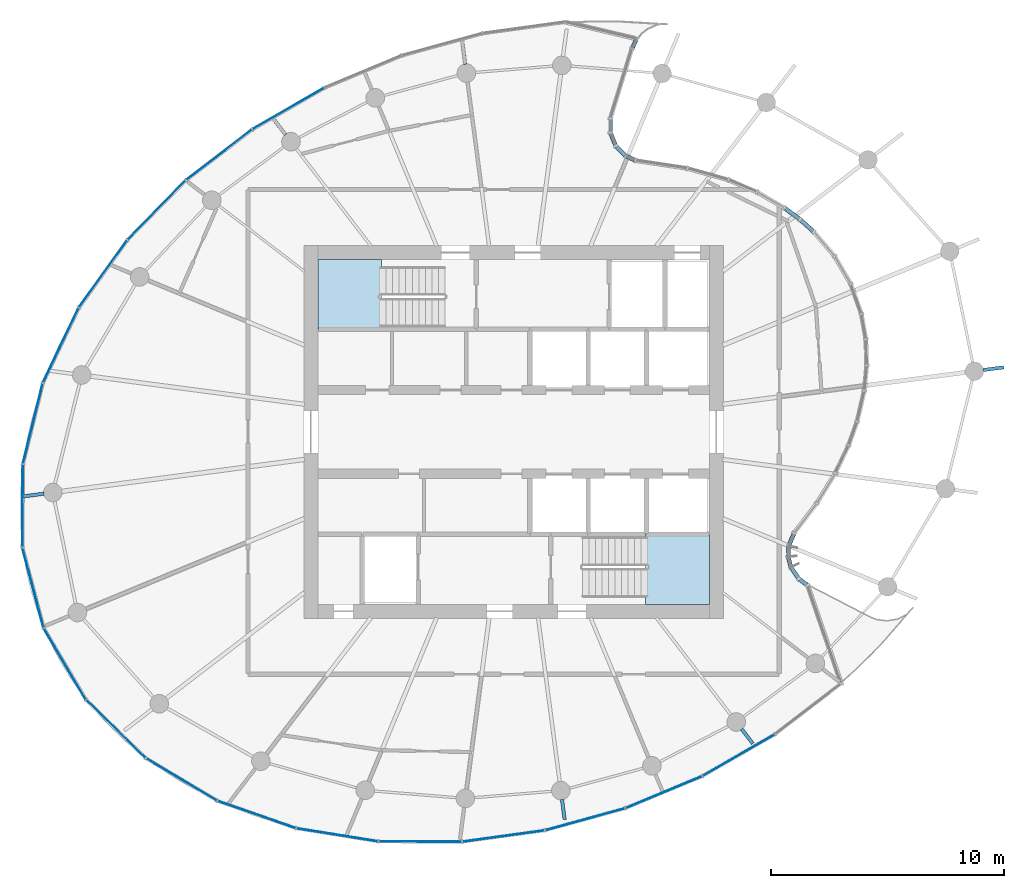
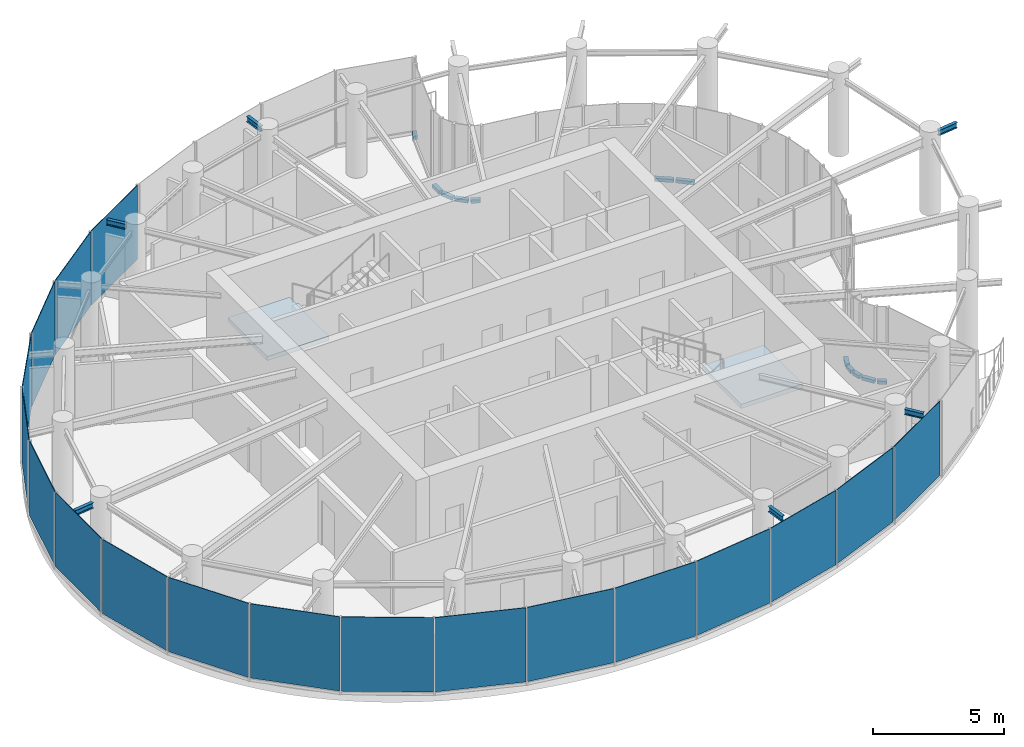
# One storey, part 7 of 14: 18 plates, 12 members, 6 beams, 2 slabs, 10 elements without a shape of their own.
"""IFC4 building model written with IfcOpenShell, lengths in metres."""

from ifc_helpers import new_model, si_unit, direction, frame, origin, origin_2d, place, context, subcontext, project, spatial, line, indexed_curve, rectangle, i_section, outline, extrude, source, transform, mapped, material, layer, layer_set, material_profile, profile_set, type_object, element, aggregate, save


model = new_model("IFC4")

# Units and contexts
model_context = context("Model", 3, precision=1e-05, world=origin(), true_north=direction((0.0, 1.0)))
body_context = subcontext(model_context, "Body", "Model", "MODEL_VIEW")
ifc_project = project(units=[si_unit("LENGTHUNIT", "METRE"), si_unit("AREAUNIT", "SQUARE_METRE"), si_unit("VOLUMEUNIT", "CUBIC_METRE"), si_unit("PLANEANGLEUNIT", "RADIAN"), si_unit("MASSUNIT", "GRAM", prefix="KILO")], contexts=[model_context])

# Site, building, storey
site_placement = place(None, origin())
site = spatial("IfcSite", under=ifc_project, at=site_placement, CompositionType="ELEMENT")
building_placement = place(site_placement, origin())
building = spatial("IfcBuilding", under=site, at=building_placement, Name="Spindrift Exchange Tower", CompositionType="ELEMENT")
storey_placement = place(building_placement, frame((0.0, 0.0, 238.39990234375)))
storey = spatial("IfcBuildingStorey", under=building, at=storey_placement, Name="L58", CompositionType="ELEMENT", Elevation=238.39990234375)

# Beams
ifc_material_1 = material(Name="Steel Grade 300", Category="steel")
ifc_material_profile_1 = material_profile(ifc_material_1, i_section(OverallWidth=0.14599609375, OverallDepth=0.251953125, WebThickness=0.006103515625, FlangeThickness=0.008544921875, FilletRadius=0.011962890625, at=origin_2d()), Name="250UB31.4")
ifc_profile_set_1 = profile_set([ifc_material_profile_1], Name="Steel Grade 300")
beam_type = type_object("IfcBeamType", Name="Cantilever Beam 250UB31.4 Steel Grade 300", PredefinedType="BEAM", material=ifc_profile_set_1)
shared_shape_1 = source(origin(), body_context, "Body", "SweptSolid", [
    extrude(i_section(OverallWidth=0.14599609375, OverallDepth=0.251953125, WebThickness=0.006103515625, FlangeThickness=0.008544921875, FilletRadius=0.011962890625, at=origin_2d()), origin(), (0.0, 0.0, 1.0), 0.890869140625),
])
for number, where, z_axis, x_axis, name in (
    (1, (72.154052734375, 50.6533203125, 3.4541015625), (0.991456160889, 0.130440335153, 0.0), (-0.130440335153, 0.991456160889, 0.0), "L58 cantilever beam R01T"),
    (2, (31.845947265625, 45.3466796875, 3.4541015625), (-0.991456160889, -0.130440335153, 0.0), (0.130440335153, -0.991456160889, 0.0), "L58 cantilever beam R13T"),
):
    element("IfcBeam", number, at=place(storey_placement, frame(where, z_axis=z_axis, x_axis=x_axis)), inside=storey, type_object=beam_type, Name=name, PredefinedType="BEAM", context=body_context, shape_type="MappedRepresentation", body=[
        mapped(shared_shape_1, transform((0.0, 0.0, 0.0), scale=1.0)),
    ])
shared_shape_2 = source(origin(), body_context, "Body", "SweptSolid", [
    extrude(i_section(OverallWidth=0.14599609375, OverallDepth=0.251953125, WebThickness=0.006103515625, FlangeThickness=0.008544921875, FilletRadius=0.011962890625, at=origin_2d()), origin(), (0.0, 0.0, 1.0), 0.87158203125),
])
for number, where, z_axis, x_axis, name in (
    (3, (49.923583984375, 63.772705078125, 3.4541015625), (-0.130548720866, 0.991441895161, 0.0), (-0.991441895161, -0.130548720866, 0.0), "L58 cantilever beam R07T"),
    (4, (54.076416015625, 32.227294921875, 3.4541015625), (0.130548720866, -0.991441895161, 0.0), (0.991441895161, 0.130548720866, 0.0), "L58 cantilever beam R19T"),
):
    element("IfcBeam", number, at=place(storey_placement, frame(where, z_axis=z_axis, x_axis=x_axis)), inside=storey, type_object=beam_type, Name=name, PredefinedType="BEAM", context=body_context, shape_type="MappedRepresentation", body=[
        mapped(shared_shape_2, transform((0.0, 0.0, 0.0), scale=1.0)),
    ])
shared_shape_3 = source(origin(), body_context, "Body", "SweptSolid", [
    extrude(i_section(OverallWidth=0.14599609375, OverallDepth=0.251953125, WebThickness=0.006103515625, FlangeThickness=0.008544921875, FilletRadius=0.011962890625, at=origin_2d()), origin(), (0.0, 0.0, 1.0), 0.785400390625),
])
for number, where, z_axis, x_axis, name in (
    (5, (42.212890625, 60.754638671875, 3.4541015625), (-0.608568561271, 0.793501295672, 0.0), (-0.793501295672, -0.608568561271, 0.0), "L58 cantilever beam R09T"),
    (6, (61.787109375, 35.245361328125, 3.4541015625), (0.608568561271, -0.793501295672, 0.0), (0.793501295672, 0.608568561271, 0.0), "L58 cantilever beam R21T"),
):
    element("IfcBeam", number, at=place(storey_placement, frame(where, z_axis=z_axis, x_axis=x_axis)), inside=storey, type_object=beam_type, Name=name, PredefinedType="BEAM", context=body_context, shape_type="MappedRepresentation", body=[
        mapped(shared_shape_3, transform((0.0, 0.0, 0.0), scale=1.0)),
    ])

# Curtain wall, members
ifc_material_2 = material(Name="Fritted laminated glass with bronze frame", Category="glass")
ifc_layer_1 = layer(ifc_material_2, 0.199951171875)
ifc_layer_set_1 = layer_set([ifc_layer_1], Name="SKY GARDEN BRONZE GLAZED WALL")
curtain_wall_type_1 = type_object("IfcCurtainWallType", Name="SKY GARDEN BRONZE GLAZED WALL", PredefinedType="NOTDEFINED", material=ifc_layer_set_1)
curtain_wall_1_placement = place(storey_placement, origin())
curtain_wall_1 = element("IfcCurtainWall", 7, at=curtain_wall_1_placement, inside=storey, type_object=curtain_wall_type_1, Name="L58 Sky Garden Bronze Glazed Wall run 5", PredefinedType="NOTDEFINED")
ifc_material_3 = material(Name="Bronze anodised aluminium", Category="aluminium")
ifc_material_profile_2 = material_profile(ifc_material_3, rectangle(XDim=0.179931640625, YDim=0.14990234375, at=origin_2d()), Name="SKY GARDEN BRONZE GLAZED WALL TRANSOM 180X150")
ifc_profile_set_2 = profile_set([ifc_material_profile_2], Name="Bronze anodised aluminium")
member_type = type_object("IfcMemberType", Name="SKY GARDEN BRONZE GLAZED WALL TRANSOM 180X150", PredefinedType="USERDEFINED", material=ifc_profile_set_2)
shared_shape_4 = source(origin(), body_context, "Body", "SweptSolid", [
    extrude(rectangle(XDim=0.179931640625, YDim=0.14990234375, at=origin_2d()), origin(), (0.0, 0.0, 1.0), 0.377197265625),
])
member_1_placement = place(storey_placement, frame((64.58349609375, 41.444580078125, 0.0751953125), z_axis=(-0.809910305336, 0.58655374631, 0.0), x_axis=(-0.58655374631, -0.809910305336, 0.0)))
member_1 = element("IfcMember", 8, at=member_1_placement, type_object=member_type, Name="L58 transom CW-G.24", ObjectType="TRANSOM", PredefinedType="USERDEFINED", context=body_context, shape_type="MappedRepresentation", body=[
    mapped(shared_shape_4, transform((0.0, 0.0, 0.0), scale=1.0)),
])
shared_shape_5 = source(origin(), body_context, "Body", "SweptSolid", [
    extrude(rectangle(XDim=0.179931640625, YDim=0.14990234375, at=origin_2d()), origin(), (0.0, 0.0, 1.0), 0.37451171875),
])
member_2_placement = place(storey_placement, frame((63.89208984375, 42.232666015625, 0.0751953125), z_axis=(-0.249739970062, 0.968312938751, 0.0), x_axis=(-0.968312938751, -0.249739970062, 0.0)))
member_2 = element("IfcMember", 9, at=member_2_placement, type_object=member_type, Name="L58 transom CW-G.26", ObjectType="TRANSOM", PredefinedType="USERDEFINED", context=body_context, shape_type="MappedRepresentation", body=[
    mapped(shared_shape_5, transform((0.0, 0.0, 0.0), scale=1.0)),
])
shared_shape_6 = source(origin(), body_context, "Body", "SweptSolid", [
    extrude(rectangle(XDim=0.179931640625, YDim=0.14990234375, at=origin_2d()), origin(), (0.0, 0.0, 1.0), 0.520751953125),
])
member_3_placement = place(storey_placement, frame((64.2197265625, 41.725830078125, 0.0751953125), z_axis=(-0.563002220487, 0.82645538278, 0.0), x_axis=(-0.82645538278, -0.563002220487, 0.0)))
member_3 = element("IfcMember", 10, at=member_3_placement, type_object=member_type, Name="L58 transom CW-G.25", ObjectType="TRANSOM", PredefinedType="USERDEFINED", context=body_context, shape_type="MappedRepresentation", body=[
    mapped(shared_shape_6, transform((0.0, 0.0, 0.0), scale=1.0)),
])
member_4_placement = place(storey_placement, frame((63.826171875, 43.139404296875, 0.0751953125), z_axis=(0.383483303524, 0.923547809222, 0.0), x_axis=(-0.923547809222, 0.383483303524, 0.0)))
member_4 = element("IfcMember", 11, at=member_4_placement, type_object=member_type, Name="L58 transom CW-G.28", ObjectType="TRANSOM", PredefinedType="USERDEFINED", context=body_context, shape_type="MappedRepresentation", body=[
    mapped(shared_shape_6, transform((0.0, 0.0, 0.0), scale=1.0)),
])

# Curtain wall, member
curtain_wall_2_placement = place(storey_placement, origin())
curtain_wall_2 = element("IfcCurtainWall", 12, at=curtain_wall_2_placement, inside=storey, type_object=curtain_wall_type_1, Name="L58 Sky Garden Bronze Glazed Wall run 8", PredefinedType="NOTDEFINED")
shared_shape_7 = source(origin(), body_context, "Body", "SweptSolid", [
    extrude(rectangle(XDim=0.179931640625, YDim=0.14990234375, at=origin_2d()), origin(), (0.0, 0.0, 1.0), 0.374267578125),
])
member_5_placement = place(storey_placement, frame((57.194091796875, 59.668701171875, 0.0751953125), z_axis=(-0.905983077108, 0.423313907158, 0.0), x_axis=(-0.423313907158, -0.905983077108, 0.0)))
member_5 = element("IfcMember", 13, at=member_5_placement, type_object=member_type, Name="L58 transom CW-G.46", ObjectType="TRANSOM", PredefinedType="USERDEFINED", context=body_context, shape_type="MappedRepresentation", body=[
    mapped(shared_shape_7, transform((0.0, 0.0, 0.0), scale=1.0)),
])

# Curtain wall, members
curtain_wall_3_placement = place(storey_placement, origin())
curtain_wall_3 = element("IfcCurtainWall", 14, at=curtain_wall_3_placement, inside=storey, type_object=curtain_wall_type_1, Name="L58 Sky Garden Bronze Glazed Wall run 9", PredefinedType="NOTDEFINED")
shared_shape_8 = source(origin(), body_context, "Body", "SweptSolid", [
    extrude(rectangle(XDim=0.179931640625, YDim=0.14990234375, at=origin_2d()), origin(), (0.0, 0.0, 1.0), 0.52099609375),
])
member_6_placement = place(storey_placement, frame((56.786376953125, 59.875, 0.0751953125), z_axis=(-0.70897866221, 0.705229931676, 0.0), x_axis=(-0.705229931676, -0.70897866221, 0.0)))
member_6 = element("IfcMember", 15, at=member_6_placement, type_object=member_type, Name="L58 transom CW-G.47", ObjectType="TRANSOM", PredefinedType="USERDEFINED", context=body_context, shape_type="MappedRepresentation", body=[
    mapped(shared_shape_8, transform((0.0, 0.0, 0.0), scale=1.0)),
])
shared_shape_9 = source(origin(), body_context, "Body", "SweptSolid", [
    extrude(rectangle(XDim=0.179931640625, YDim=0.14990234375, at=origin_2d()), origin(), (0.0, 0.0, 1.0), 0.525634765625),
])
member_7_placement = place(storey_placement, frame((56.37060546875, 60.311767578125, 0.0751953125), z_axis=(-0.383131002117, 0.923694016012, 0.0), x_axis=(-0.923694016012, -0.383131002117, 0.0)))
member_7 = element("IfcMember", 16, at=member_7_placement, type_object=member_type, Name="L58 transom CW-G.48", ObjectType="TRANSOM", PredefinedType="USERDEFINED", context=body_context, shape_type="MappedRepresentation", body=[
    mapped(shared_shape_9, transform((0.0, 0.0, 0.0), scale=1.0)),
])
member_8_placement = place(storey_placement, frame((56.15283203125, 60.879150390625, 0.0751953125), z_axis=(0.00371571982, 0.999993096689, 0.0), x_axis=(-0.999993096689, 0.00371571982, 0.0)))
member_8 = element("IfcMember", 17, at=member_8_placement, type_object=member_type, Name="L58 transom CW-G.49", ObjectType="TRANSOM", PredefinedType="USERDEFINED", context=body_context, shape_type="MappedRepresentation", body=[
    mapped(shared_shape_9, transform((0.0, 0.0, 0.0), scale=1.0)),
])
shared_shape_10 = source(origin(), body_context, "Body", "SweptSolid", [
    extrude(rectangle(XDim=0.179931640625, YDim=0.14990234375, at=origin_2d()), origin(), (0.0, 0.0, 1.0), 0.367431640625),
])
member_9_placement = place(storey_placement, frame((57.10693359375, 64.501220703125, 0.0751953125), z_axis=(0.435751905889, 0.900066817805, 0.0), x_axis=(-0.900066817805, 0.435751905889, 0.0)))
member_9 = element("IfcMember", 18, at=member_9_placement, type_object=member_type, Name="L58 transom CW-G.51", ObjectType="TRANSOM", PredefinedType="USERDEFINED", context=body_context, shape_type="MappedRepresentation", body=[
    mapped(shared_shape_10, transform((0.0, 0.0, 0.0), scale=1.0)),
])
aggregate(curtain_wall_3, [member_6, member_7, member_8, member_9])

# Member
shared_shape_11 = source(origin(), body_context, "Body", "SweptSolid", [
    extrude(rectangle(XDim=0.179931640625, YDim=0.14990234375, at=origin_2d()), origin(), (0.0, 0.0, 1.0), 0.37939453125),
])
member_10_placement = place(storey_placement, frame((63.7900390625, 42.6787109375, 0.0751953125), z_axis=(0.046984137499, 0.998895635601, 0.0), x_axis=(-0.998895635601, 0.046984137499, 0.0)))
member_10 = element("IfcMember", 19, at=member_10_placement, type_object=member_type, Name="L58 transom CW-G.27", ObjectType="TRANSOM", PredefinedType="USERDEFINED", context=body_context, shape_type="MappedRepresentation", body=[
    mapped(shared_shape_11, transform((0.0, 0.0, 0.0), scale=1.0)),
])

aggregate(curtain_wall_1, [member_1, member_3, member_2, member_10, member_4])

# Curtain wall, member
curtain_wall_4_placement = place(storey_placement, origin())
curtain_wall_4 = element("IfcCurtainWall", 20, at=curtain_wall_4_placement, inside=storey, type_object=curtain_wall_type_1, Name="L58 Sky Garden Bronze Glazed Wall run 7", PredefinedType="NOTDEFINED")
shared_shape_12 = source(origin(), body_context, "Body", "SweptSolid", [
    extrude(rectangle(XDim=0.179931640625, YDim=0.14990234375, at=origin_2d()), origin(), (0.0, 0.0, 1.0), 0.716552734375),
])
member_11_placement = place(storey_placement, frame((64.857177734375, 56.612548828125, 0.0751953125), z_axis=(-0.744715394305, 0.667382185472, 0.0), x_axis=(-0.667382185472, -0.744715394305, 0.0)))
member_11 = element("IfcMember", 21, at=member_11_placement, type_object=member_type, Name="L58 transom CW-G.40", ObjectType="TRANSOM", PredefinedType="USERDEFINED", context=body_context, shape_type="MappedRepresentation", body=[
    mapped(shared_shape_12, transform((0.0, 0.0, 0.0), scale=1.0)),
])
aggregate(curtain_wall_4, [member_11])

# Member
shared_shape_13 = source(origin(), body_context, "Body", "SweptSolid", [
    extrude(rectangle(XDim=0.179931640625, YDim=0.14990234375, at=origin_2d()), origin(), (0.0, 0.0, 1.0), 0.738525390625),
])
member_12_placement = place(storey_placement, frame((64.257568359375, 57.14453125, 0.0751953125), z_axis=(-0.80253132466, 0.596609983942, 0.0), x_axis=(-0.596609983942, -0.80253132466, 0.0)))
member_12 = element("IfcMember", 22, at=member_12_placement, type_object=member_type, Name="L58 transom CW-G.41", ObjectType="TRANSOM", PredefinedType="USERDEFINED", context=body_context, shape_type="MappedRepresentation", body=[
    mapped(shared_shape_13, transform((0.0, 0.0, 0.0), scale=1.0)),
])

aggregate(curtain_wall_2, [member_12, member_5])

# Stair, slab
ifc_material_4 = material(Name="Concrete 50 MPa", Category="concrete")
stair_type = type_object("IfcStairType", Name="ST-1250-R177", PredefinedType="HALF_TURN_STAIR", material=ifc_material_4)
stair_1_placement = place(storey_placement, origin())
stair_1 = element("IfcStair", 23, at=stair_1_placement, inside=storey, type_object=stair_type, Name="L58 Exit stair ST1", PredefinedType="HALF_TURN_STAIR")
ifc_layer_2 = layer(ifc_material_4, 0.199951171875)
ifc_layer_set_2 = layer_set([ifc_layer_2], Name="SL-LANDING")
slab_type = type_object("IfcSlabType", Name="SL-LANDING", PredefinedType="LANDING", material=ifc_layer_set_2)
slab_1_placement = place(storey_placement, frame((0.0, 0.0, 1.75)))
slab_1 = element("IfcSlab", 24, at=slab_1_placement, type_object=slab_type, Name="ST1 landing 1", PredefinedType="LANDING", context=body_context, shape_type="SweptSolid", body=[
    extrude(outline(indexed_curve([(46.330078125, 52.39990234375), (43.60009765625, 52.39990234375), (43.60009765625, 55.39990234375), (46.330078125, 55.39990234375)], segments=[line(1, 2, 3, 4, 1)], self_intersect=False)), origin(), (0.0, 0.0, 1.0), 0.2001953125),
])
aggregate(stair_1, [slab_1])

stair_2_placement = place(storey_placement, origin())
stair_2 = element("IfcStair", 25, at=stair_2_placement, inside=storey, type_object=stair_type, Name="L58 Exit stair ST2", PredefinedType="HALF_TURN_STAIR")
slab_2_placement = place(storey_placement, frame((0.0, 0.0, 1.75)))
slab_2 = element("IfcSlab", 26, at=slab_2_placement, type_object=slab_type, Name="ST2 landing 1", PredefinedType="LANDING", context=body_context, shape_type="SweptSolid", body=[
    extrude(outline(indexed_curve([(57.669921875, 43.60009765625), (60.39990234375, 43.60009765625), (60.39990234375, 40.60009765625), (57.669921875, 40.60009765625)], segments=[line(1, 2, 3, 4, 1)], self_intersect=False)), origin(), (0.0, 0.0, 1.0), 0.2001953125),
])
aggregate(stair_2, [slab_2])

# Curtain wall, plate
ifc_layer_3 = layer(ifc_material_2, 0.159912109375)
ifc_layer_set_3 = layer_set([ifc_layer_3], Name="ZONE 5 BRONZE FRITTED WALL")
curtain_wall_type_2 = type_object("IfcCurtainWallType", Name="ZONE 5 BRONZE FRITTED WALL", PredefinedType="NOTDEFINED", material=ifc_layer_set_3)
curtain_wall_5_placement = place(storey_placement, origin())
curtain_wall_5 = element("IfcCurtainWall", 27, at=curtain_wall_5_placement, inside=storey, type_object=curtain_wall_type_2, Name="L58 Zone 5 Bronze Fritted Wall run 3", PredefinedType="NOTDEFINED")
ifc_material_5 = material(Name="Bronze fritted laminated glass, open frit", Category="glass")
ifc_layer_4 = layer(ifc_material_5, 0.028076171875)
ifc_layer_set_4 = layer_set([ifc_layer_4], Name="ZONE 5 BRONZE FRITTED WALL PANEL OPEN FRIT 480")
plate_type_1 = type_object("IfcPlateType", Name="ZONE 5 BRONZE FRITTED WALL PANEL OPEN FRIT 480", PredefinedType="CURTAIN_PANEL", material=ifc_layer_set_4)
shared_shape_14 = source(origin(), body_context, "Body", "SweptSolid", [
    extrude(rectangle(XDim=3.52587890625, YDim=0.028076171875, at=origin_2d()), origin(), (0.0, 0.0, 1.0), 3.4599609375),
])
plate_1_placement = place(storey_placement, frame((51.56689453125, 30.64892578125, 0.1201171875), z_axis=(0.0, 0.0, 1.0), x_axis=(0.990651185094, 0.136419314878, 0.0)))
plate_1 = element("IfcPlate", 28, at=plate_1_placement, type_object=plate_type_1, Name="L58 panel CW-5.18", PredefinedType="CURTAIN_PANEL", context=body_context, shape_type="MappedRepresentation", body=[
    mapped(shared_shape_14, transform((0.0, 0.0, 0.0), scale=1.0)),
])

# Curtain wall, plates
curtain_wall_6_placement = place(storey_placement, origin())
curtain_wall_6 = element("IfcCurtainWall", 29, at=curtain_wall_6_placement, inside=storey, type_object=curtain_wall_type_2, Name="L58 Zone 5 Bronze Fritted Wall run 1", PredefinedType="NOTDEFINED")
shared_shape_15 = source(origin(), body_context, "Body", "SweptSolid", [
    extrude(rectangle(XDim=3.526123046875, YDim=0.028076171875, at=origin_2d()), origin(), (0.0, 0.0, 1.0), 3.4599609375),
])
plate_2_placement = place(storey_placement, frame((42.33544921875, 61.87890625, 0.1201171875), z_axis=(0.0, 0.0, 1.0), x_axis=(-0.86651019748, -0.499159371006, 0.0)))
plate_2 = element("IfcPlate", 30, at=plate_2_placement, type_object=plate_type_1, Name="L58 panel CW-5.4", PredefinedType="CURTAIN_PANEL", context=body_context, shape_type="MappedRepresentation", body=[
    mapped(shared_shape_15, transform((0.0, 0.0, 0.0), scale=1.0)),
])
ifc_layer_5 = layer(ifc_material_5, 0.028076171875)
ifc_layer_set_5 = layer_set([ifc_layer_5], Name="ZONE 5 BRONZE FRITTED WALL PANEL OPEN FRIT 600")
plate_type_2 = type_object("IfcPlateType", Name="ZONE 5 BRONZE FRITTED WALL PANEL OPEN FRIT 600", PredefinedType="CURTAIN_PANEL", material=ifc_layer_set_5)
shared_shape_16 = source(origin(), body_context, "Body", "SweptSolid", [
    extrude(rectangle(XDim=3.526123046875, YDim=0.028076171875, at=origin_2d()), origin(), (0.0, 0.0, 1.0), 3.4599609375),
])
plate_3_placement = place(storey_placement, frame((39.35888671875, 59.89306640625, 0.1201171875), z_axis=(0.0, 0.0, 1.0), x_axis=(-0.793600834652, -0.608438752251, 0.0)))
plate_3 = element("IfcPlate", 31, at=plate_3_placement, type_object=plate_type_2, Name="L58 panel CW-5.5", PredefinedType="CURTAIN_PANEL", context=body_context, shape_type="MappedRepresentation", body=[
    mapped(shared_shape_16, transform((0.0, 0.0, 0.0), scale=1.0)),
])
shared_shape_17 = source(origin(), body_context, "Body", "SweptSolid", [
    extrude(rectangle(XDim=3.525390625, YDim=0.028076171875, at=origin_2d()), origin(), (0.0, 0.0, 1.0), 3.4599609375),
])
plate_4_placement = place(storey_placement, frame((36.679931640625, 57.52294921875, 0.1201171875), z_axis=(0.0, 0.0, 1.0), x_axis=(-0.700620400054, -0.713534200322, 0.0)))
plate_4 = element("IfcPlate", 32, at=plate_4_placement, type_object=plate_type_2, Name="L58 panel CW-5.6", PredefinedType="CURTAIN_PANEL", context=body_context, shape_type="MappedRepresentation", body=[
    mapped(shared_shape_17, transform((0.0, 0.0, 0.0), scale=1.0)),
])
aggregate(curtain_wall_6, [plate_2, plate_3, plate_4])

curtain_wall_7_placement = place(storey_placement, origin())
curtain_wall_7 = element("IfcCurtainWall", 33, at=curtain_wall_7_placement, inside=storey, type_object=curtain_wall_type_2, Name="L58 Zone 5 Bronze Fritted Wall run 2", PredefinedType="NOTDEFINED")
ifc_layer_6 = layer(ifc_material_5, 0.028076171875)
ifc_layer_set_6 = layer_set([ifc_layer_6], Name="ZONE 5 BRONZE FRITTED WALL PANEL OPEN FRIT 360")
plate_type_3 = type_object("IfcPlateType", Name="ZONE 5 BRONZE FRITTED WALL PANEL OPEN FRIT 360", PredefinedType="CURTAIN_PANEL", material=ifc_layer_set_6)
shared_shape_18 = source(origin(), body_context, "Body", "SweptSolid", [
    extrude(rectangle(XDim=3.524658203125, YDim=0.028076171875, at=origin_2d()), origin(), (0.0, 0.0, 1.0), 3.4599609375),
])
plate_5_placement = place(storey_placement, frame((34.380615234375, 54.786376953125, 0.1201171875), z_axis=(0.0, 0.0, 1.0), x_axis=(-0.582069041992, -0.813139367116, 0.0)))
plate_5 = element("IfcPlate", 34, at=plate_5_placement, type_object=plate_type_3, Name="L58 panel CW-5.7", PredefinedType="CURTAIN_PANEL", context=body_context, shape_type="MappedRepresentation", body=[
    mapped(shared_shape_18, transform((0.0, 0.0, 0.0), scale=1.0)),
])
shared_shape_19 = source(origin(), body_context, "Body", "SweptSolid", [
    extrude(rectangle(XDim=3.5234375, YDim=0.028076171875, at=origin_2d()), origin(), (0.0, 0.0, 1.0), 3.4599609375),
])
plate_6_placement = place(storey_placement, frame((32.5654296875, 51.7119140625, 0.1201171875), z_axis=(0.0, 0.0, 1.0), x_axis=(-0.430752103656, -0.902470290478, 0.0)))
plate_6 = element("IfcPlate", 35, at=plate_6_placement, type_object=plate_type_1, Name="L58 panel CW-5.8", PredefinedType="CURTAIN_PANEL", context=body_context, shape_type="MappedRepresentation", body=[
    mapped(shared_shape_19, transform((0.0, 0.0, 0.0), scale=1.0)),
])
shared_shape_20 = source(origin(), body_context, "Body", "SweptSolid", [
    extrude(rectangle(XDim=3.521484375, YDim=0.028076171875, at=origin_2d()), origin(), (0.0, 0.0, 1.0), 3.4599609375),
])
plate_7_placement = place(storey_placement, frame((31.365234375, 48.356201171875, 0.1201171875), z_axis=(0.0, 0.0, 1.0), x_axis=(-0.239255439883, -0.970956659427, 0.0)))
plate_7 = element("IfcPlate", 36, at=plate_7_placement, type_object=plate_type_3, Name="L58 panel CW-5.9", PredefinedType="CURTAIN_PANEL", context=body_context, shape_type="MappedRepresentation", body=[
    mapped(shared_shape_20, transform((0.0, 0.0, 0.0), scale=1.0)),
])
shared_shape_21 = source(origin(), body_context, "Body", "SweptSolid", [
    extrude(rectangle(XDim=3.519287109375, YDim=0.028076171875, at=origin_2d()), origin(), (0.0, 0.0, 1.0), 3.4599609375),
])
plate_8_placement = place(storey_placement, frame((30.92626953125, 44.827880859375, 0.1201171875), z_axis=(0.0, 0.0, 1.0), x_axis=(-0.005923612838, -0.999982455252, 0.0)))
plate_8 = element("IfcPlate", 37, at=plate_8_placement, type_object=plate_type_2, Name="L58 panel CW-5.10", PredefinedType="CURTAIN_PANEL", context=body_context, shape_type="MappedRepresentation", body=[
    mapped(shared_shape_21, transform((0.0, 0.0, 0.0), scale=1.0)),
])
shared_shape_22 = source(origin(), body_context, "Body", "SweptSolid", [
    extrude(rectangle(XDim=3.517578125, YDim=0.028076171875, at=origin_2d()), origin(), (0.0, 0.0, 1.0), 3.4599609375),
])
plate_9_placement = place(storey_placement, frame((31.37158203125, 41.30859375, 0.1201171875), z_axis=(0.0, 0.0, 1.0), x_axis=(0.254952996642, -0.966953447433, 0.0)))
plate_9 = element("IfcPlate", 38, at=plate_9_placement, type_object=plate_type_1, Name="L58 panel CW-5.11", PredefinedType="CURTAIN_PANEL", context=body_context, shape_type="MappedRepresentation", body=[
    mapped(shared_shape_22, transform((0.0, 0.0, 0.0), scale=1.0)),
])
plate_10_placement = place(storey_placement, frame((32.73681640625, 38.038330078125, 0.1201171875), z_axis=(0.0, 0.0, 1.0), x_axis=(0.508220940823, -0.861226727006, 0.0)))
plate_10 = element("IfcPlate", 39, at=plate_10_placement, type_object=plate_type_1, Name="L58 panel CW-5.12", PredefinedType="CURTAIN_PANEL", context=body_context, shape_type="MappedRepresentation", body=[
    mapped(shared_shape_22, transform((0.0, 0.0, 0.0), scale=1.0)),
])
aggregate(curtain_wall_7, [plate_5, plate_6, plate_7, plate_8, plate_9, plate_10])

# Plate
shared_shape_23 = source(origin(), body_context, "Body", "SweptSolid", [
    extrude(rectangle(XDim=3.519287109375, YDim=0.028076171875, at=origin_2d()), origin(), (0.0, 0.0, 1.0), 3.4599609375),
])
plate_11_placement = place(storey_placement, frame((34.92578125, 35.246826171875, 0.1201171875), z_axis=(0.0, 0.0, 1.0), x_axis=(0.715176916669, -0.698943472581, 0.0)))
plate_11 = element("IfcPlate", 40, at=plate_11_placement, type_object=plate_type_3, Name="L58 panel CW-5.13", PredefinedType="CURTAIN_PANEL", context=body_context, shape_type="MappedRepresentation", body=[
    mapped(shared_shape_23, transform((0.0, 0.0, 0.0), scale=1.0)),
])

shared_shape_24 = source(origin(), body_context, "Body", "SweptSolid", [
    extrude(rectangle(XDim=3.521484375, YDim=0.028076171875, at=origin_2d()), origin(), (0.0, 0.0, 1.0), 3.4599609375),
])
plate_12_placement = place(storey_placement, frame((37.743408203125, 33.078125, 0.1201171875), z_axis=(0.0, 0.0, 1.0), x_axis=(0.858606687897, -0.512634914437, 0.0)))
plate_12 = element("IfcPlate", 41, at=plate_12_placement, type_object=plate_type_2, Name="L58 panel CW-5.14", PredefinedType="CURTAIN_PANEL", context=body_context, shape_type="MappedRepresentation", body=[
    mapped(shared_shape_24, transform((0.0, 0.0, 0.0), scale=1.0)),
])

shared_shape_25 = source(origin(), body_context, "Body", "SweptSolid", [
    extrude(rectangle(XDim=3.5234375, YDim=0.028076171875, at=origin_2d()), origin(), (0.0, 0.0, 1.0), 3.4599609375),
])
plate_13_placement = place(storey_placement, frame((40.97314453125, 31.57177734375, 0.1201171875), z_axis=(0.0, 0.0, 1.0), x_axis=(0.944556458313, -0.328349047599, 0.0)))
plate_13 = element("IfcPlate", 42, at=plate_13_placement, type_object=plate_type_3, Name="L58 panel CW-5.15", PredefinedType="CURTAIN_PANEL", context=body_context, shape_type="MappedRepresentation", body=[
    mapped(shared_shape_25, transform((0.0, 0.0, 0.0), scale=1.0)),
])

shared_shape_26 = source(origin(), body_context, "Body", "SweptSolid", [
    extrude(rectangle(XDim=3.524658203125, YDim=0.028076171875, at=origin_2d()), origin(), (0.0, 0.0, 1.0), 3.4599609375),
])
plate_14_placement = place(storey_placement, frame((44.435302734375, 30.700439453125, 0.1201171875), z_axis=(0.0, 0.0, 1.0), x_axis=(0.987447185318, -0.157949536903, 0.0)))
plate_14 = element("IfcPlate", 43, at=plate_14_placement, type_object=plate_type_2, Name="L58 panel CW-5.16", PredefinedType="CURTAIN_PANEL", context=body_context, shape_type="MappedRepresentation", body=[
    mapped(shared_shape_26, transform((0.0, 0.0, 0.0), scale=1.0)),
])

shared_shape_27 = source(origin(), body_context, "Body", "SweptSolid", [
    extrude(rectangle(XDim=3.525390625, YDim=0.028076171875, at=origin_2d()), origin(), (0.0, 0.0, 1.0), 3.4599609375),
])
plate_15_placement = place(storey_placement, frame((47.998046875, 30.410888671875, 0.1201171875), z_axis=(0.0, 0.0, 1.0), x_axis=(0.999993530358, -0.003597115831, 0.0)))
plate_15 = element("IfcPlate", 44, at=plate_15_placement, type_object=plate_type_1, Name="L58 panel CW-5.17", PredefinedType="CURTAIN_PANEL", context=body_context, shape_type="MappedRepresentation", body=[
    mapped(shared_shape_27, transform((0.0, 0.0, 0.0), scale=1.0)),
])

aggregate(curtain_wall_5, [plate_11, plate_12, plate_13, plate_14, plate_15, plate_1])

# Curtain wall, plates
curtain_wall_8_placement = place(storey_placement, origin())
curtain_wall_8 = element("IfcCurtainWall", 45, at=curtain_wall_8_placement, inside=storey, type_object=curtain_wall_type_2, Name="L58 Zone 5 Bronze Fritted Wall run 4", PredefinedType="NOTDEFINED")
shared_shape_28 = source(origin(), body_context, "Body", "SweptSolid", [
    extrude(rectangle(XDim=3.5263671875, YDim=0.028076171875, at=origin_2d()), origin(), (0.0, 0.0, 1.0), 3.4599609375),
])
plate_16_placement = place(storey_placement, frame((55.072265625, 31.368896484375, 0.1201171875), z_axis=(0.0, 0.0, 1.0), x_axis=(0.964223213642, 0.265091671455, 0.0)))
plate_16 = element("IfcPlate", 46, at=plate_16_placement, type_object=plate_type_1, Name="L58 panel CW-5.19", PredefinedType="CURTAIN_PANEL", context=body_context, shape_type="MappedRepresentation", body=[
    mapped(shared_shape_28, transform((0.0, 0.0, 0.0), scale=1.0)),
])
plate_17_placement = place(storey_placement, frame((58.4560546875, 32.53515625, 0.1201171875), z_axis=(0.0, 0.0, 1.0), x_axis=(0.922815346563, 0.385242567933, 0.0)))
plate_17 = element("IfcPlate", 47, at=plate_17_placement, type_object=plate_type_1, Name="L58 panel CW-5.20", PredefinedType="CURTAIN_PANEL", context=body_context, shape_type="MappedRepresentation", body=[
    mapped(shared_shape_28, transform((0.0, 0.0, 0.0), scale=1.0)),
])
shared_shape_29 = source(origin(), body_context, "Body", "SweptSolid", [
    extrude(rectangle(XDim=3.526123046875, YDim=0.028076171875, at=origin_2d()), origin(), (0.0, 0.0, 1.0), 3.4599609375),
])
plate_18_placement = place(storey_placement, frame((61.66455078125, 34.12109375, 0.1201171875), z_axis=(0.0, 0.0, 1.0), x_axis=(0.86651019748, 0.499159371006, 0.0)))
plate_18 = element("IfcPlate", 48, at=plate_18_placement, type_object=plate_type_3, Name="L58 panel CW-5.21", PredefinedType="CURTAIN_PANEL", context=body_context, shape_type="MappedRepresentation", body=[
    mapped(shared_shape_29, transform((0.0, 0.0, 0.0), scale=1.0)),
])
aggregate(curtain_wall_8, [plate_16, plate_17, plate_18])

save(model, "model.ifc")
